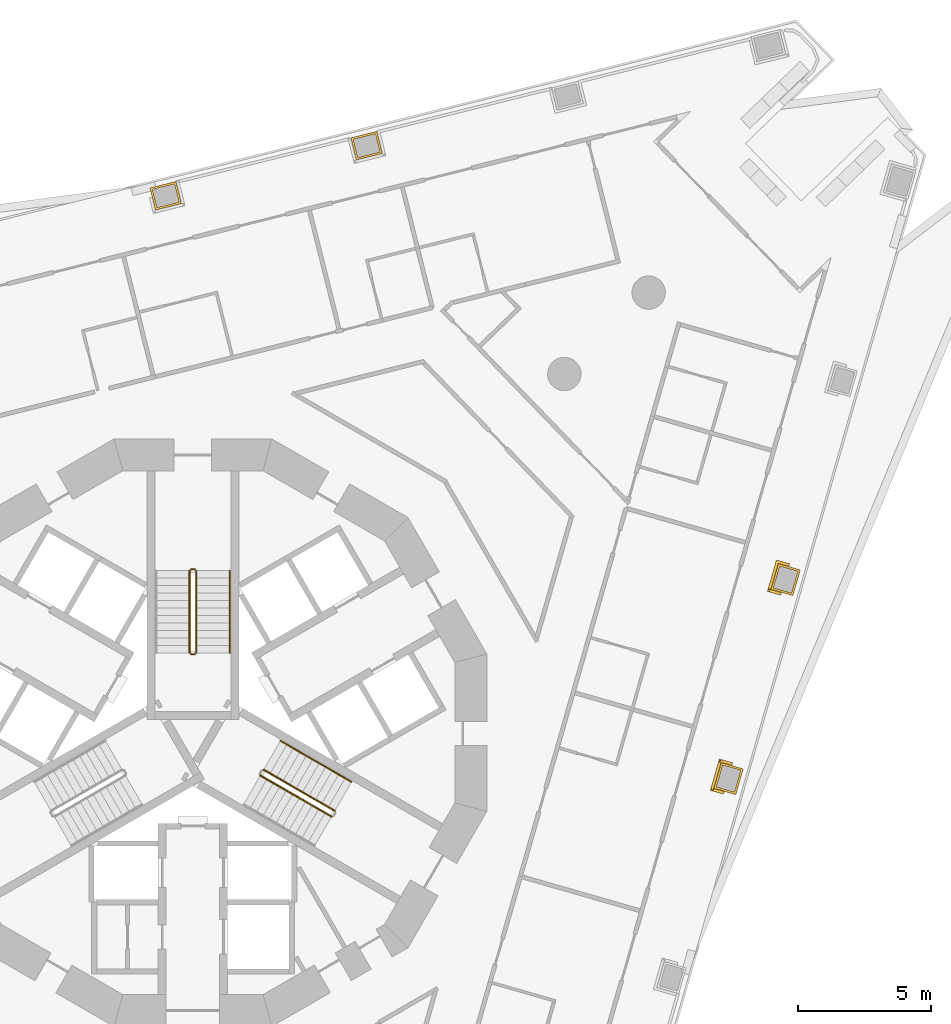
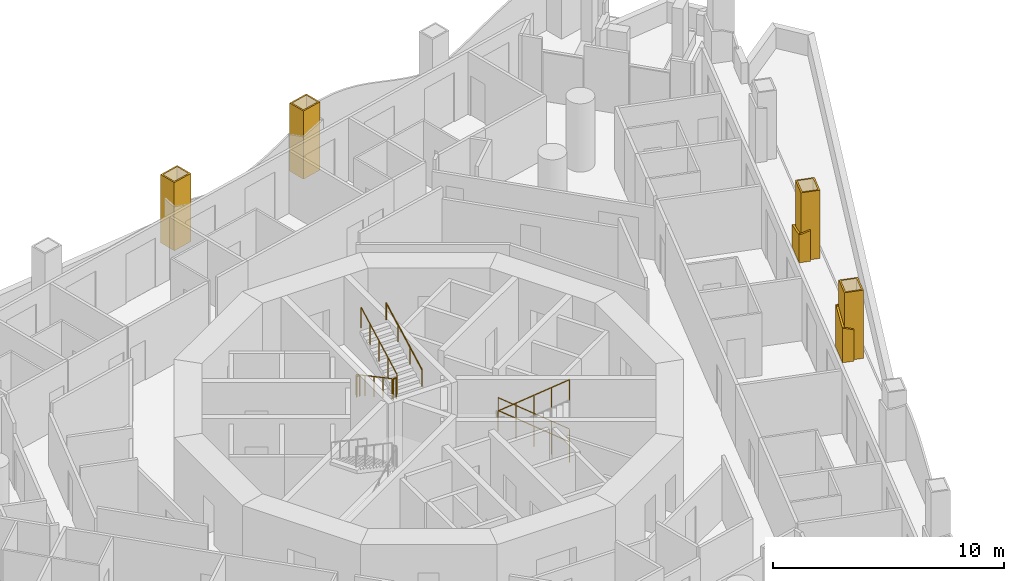
# One storey, part 17 of 19: 11 railings, 4 coverings.
"""IFC4 building model written with IfcOpenShell, lengths in metres."""

import ifcopenshell
import ifcopenshell.guid

model = None  # the IFC model being written
_history = None  # IfcOwnerHistory: only IFC2X3 demands one
_inside = {}  # id of a spatial element -> (the spatial element, [elements in it])
_under = {}  # id of a project, library or spatial element -> (it, [spatial elements below it])
_declared = {}  # id of a project -> (the project, [libraries it declares])
_typed = {}  # id of a type object -> (the type object, [elements of that type])
_made_of = {}  # id of a material, layer set ... -> (it, [elements and type objects made of it])


def new_model(schema):
    """Start an empty IFC model of exactly this schema.

    Asked for "IFC4X3", IfcOpenShell would pick the latest addendum, in which some entities
    have other attributes; the version numbers below select the first issue.
    IFC2X3 requires an IfcOwnerHistory on every rooted entity: one is made here for all.
    """
    global model, _history
    if schema == "IFC4X3":
        model = ifcopenshell.file(schema_version=(4, 3, 0, 0))
    else:
        model = ifcopenshell.file(schema=schema)
    _inside.clear()
    _under.clear()
    _declared.clear()
    _typed.clear()
    _made_of.clear()
    _history = None
    if model.schema == "IFC2X3":
        org = make("IfcOrganization", Name="unknown")
        user = make(
            "IfcPersonAndOrganization",
            ThePerson=make("IfcPerson", FamilyName="unknown"),
            TheOrganization=org,
        )
        app = make(
            "IfcApplication",
            ApplicationDeveloper=org,
            Version="unknown",
            ApplicationFullName="unknown",
            ApplicationIdentifier="unknown",
        )
        _history = make(
            "IfcOwnerHistory",
            OwningUser=user,
            OwningApplication=app,
            ChangeAction="ADDED",
            CreationDate=0,
        )
    return model


def make(cls, **values):
    """One entity of the class cls with the attributes given. An attribute that is None is left unset."""
    return model.create_entity(
        cls, **{name: value for name, value in values.items() if value is not None}
    )


def rooted(cls, **values):
    """An entity with a GlobalId (a new one), such as an element, a storey or a relation."""
    return make(cls, GlobalId=ifcopenshell.guid.new(), OwnerHistory=_history, **values)


def si_unit(unit_type, name, prefix=None):
    """IfcSIUnit, for example si_unit("LENGTHUNIT", "METRE", prefix="MILLI")."""
    return make("IfcSIUnit", UnitType=unit_type, Prefix=prefix, Name=name)


def assignment(units):
    """IfcUnitAssignment: the units of a project."""
    return None if units is None else make("IfcUnitAssignment", Units=units)


def point(xyz):
    """IfcCartesianPoint."""
    return None if xyz is None else make("IfcCartesianPoint", Coordinates=xyz)


def direction(xyz):
    """IfcDirection."""
    return None if xyz is None else make("IfcDirection", DirectionRatios=xyz)


def frame(location, z_axis=None, x_axis=None):
    """IfcAxis2Placement3D, a coordinate frame: its origin and axes. An axis left out is left unset."""
    return make(
        "IfcAxis2Placement3D",
        Location=point(location),
        Axis=direction(z_axis),
        RefDirection=direction(x_axis),
    )


def frame_2d(location, x_axis=None):
    """IfcAxis2Placement2D, a coordinate frame in the plane: its origin and x axis."""
    return make(
        "IfcAxis2Placement2D", Location=point(location), RefDirection=direction(x_axis)
    )


def origin():
    """The frame at (0, 0, 0) with its axes left unset."""
    return frame((0.0, 0.0, 0.0))


def origin_2d():
    """The frame at (0, 0) in the plane with its x axis left unset."""
    return frame_2d((0.0, 0.0))


def place(relative_to, where):
    """IfcLocalPlacement: puts the frame where relative to a parent placement (None: the world)."""
    return make(
        "IfcLocalPlacement", PlacementRelTo=relative_to, RelativePlacement=where
    )


def context(
    kind, dimensions, precision=None, world=None, true_north=None, identifier=None
):
    """IfcGeometricRepresentationContext, for example the 3D "Model" context."""
    return make(
        "IfcGeometricRepresentationContext",
        ContextIdentifier=identifier,
        ContextType=kind,
        CoordinateSpaceDimension=dimensions,
        Precision=precision,
        WorldCoordinateSystem=world,
        TrueNorth=true_north,
    )


def subcontext(parent, identifier, kind, view, scale=None):
    """IfcGeometricRepresentationSubContext, for example "Body" below "Model"."""
    return make(
        "IfcGeometricRepresentationSubContext",
        ContextIdentifier=identifier,
        ContextType=kind,
        ParentContext=parent,
        TargetScale=scale,
        TargetView=view,
    )


def project(units=None, contexts=None):
    """IfcProject with its units and contexts."""
    return rooted(
        "IfcProject",
        Name="project",
        RepresentationContexts=contexts,
        UnitsInContext=assignment(units),
    )


def spatial(cls, under=None, at=None, **own):
    """A site, building, storey or space (cls), placed at a placement, below another one or the project."""
    s = rooted(cls, ObjectPlacement=at, **own)
    if under is not None:
        _under.setdefault(under.id(), (under, []))[1].append(s)
    return s


def polyline(points):
    """IfcPolyline through the points."""
    return make("IfcPolyline", Points=[point(p) for p in points])


def profile(cls, at=None, kind="AREA", **sizes):
    """A parametric profile (cls). Its sizes go by their IFC names, for example OverallWidth=200.0."""
    return make(cls, ProfileType=kind, Position=at, **sizes)


def circle(**sizes):
    """IfcCircleProfileDef."""
    return profile("IfcCircleProfileDef", **sizes)


def outline(outer, holes=None, kind="AREA"):
    """IfcArbitraryClosedProfileDef: a profile drawn as a closed curve; with holes, ...WithVoids."""
    if holes is None:
        return make("IfcArbitraryClosedProfileDef", ProfileType=kind, OuterCurve=outer)
    return make(
        "IfcArbitraryProfileDefWithVoids",
        ProfileType=kind,
        OuterCurve=outer,
        InnerCurves=holes,
    )


def extrude(swept, where, along, depth):
    """IfcExtrudedAreaSolid: the profile swept, set in the frame where, extruded along a direction by depth."""
    return make(
        "IfcExtrudedAreaSolid",
        SweptArea=swept,
        Position=where,
        ExtrudedDirection=direction(along),
        Depth=depth,
    )


def shape(context_of_items, identifier, shape_type, items):
    """IfcShapeRepresentation: the items that make up one representation, for example the "Body"."""
    return make(
        "IfcShapeRepresentation",
        ContextOfItems=context_of_items,
        RepresentationIdentifier=identifier,
        RepresentationType=shape_type,
        Items=items,
    )


def material(Name=None, Category=None):
    """IfcMaterial."""
    return make("IfcMaterial", Name=Name, Category=Category)


def layer(
    of_material, thickness, ventilated=None, Name=None, Category=None, Priority=None
):
    """IfcMaterialLayer: one layer of a wall or slab, of a material (None: an air gap)."""
    return make(
        "IfcMaterialLayer",
        Material=of_material,
        LayerThickness=thickness,
        IsVentilated=ventilated,
        Name=Name,
        Category=Category,
        Priority=Priority,
    )


def layer_set(layers, Name=None):
    """IfcMaterialLayerSet."""
    return make("IfcMaterialLayerSet", MaterialLayers=layers, LayerSetName=Name)


def made_of(thing, what):
    """Note that an element or type object is made of a material, layer set ...; save() writes the relation."""
    if what is not None:
        _made_of.setdefault(what.id(), (what, []))[1].append(thing)
    return thing


def type_object(cls, material=None, **own):
    """A type object (cls), such as IfcWallType, which elements share."""
    return made_of(rooted(cls, **own), material)


def element(
    cls,
    number,
    at=None,
    inside=None,
    cuts=None,
    type_object=None,
    material=None,
    context=None,
    identifier="Body",
    shape_type=None,
    held_by="IfcProductDefinitionShape",
    body=None,
    shapes=None,
    **own,
):
    """One element of the class cls, such as IfcWall. Its Tag is "e" and its number.

    at: its placement. inside: the storey or other place that contains it. cuts: it is an
    opening in that element (IfcRelVoidsElement). A single representation is given by context,
    identifier, shape_type and body (its items); several are given by shapes. held_by: the class
    of the entity that holds the representations. save() writes the other relations.
    """
    e = rooted(cls, Tag="e%d" % number, ObjectPlacement=at, **own)
    if body is not None:
        shapes = [shape(context, identifier, shape_type, body)]
    if shapes is not None:
        e.Representation = make(held_by, Representations=shapes)
    if inside is not None:
        _inside.setdefault(inside.id(), (inside, []))[1].append(e)
    if cuts is not None:
        rooted(
            "IfcRelVoidsElement", RelatingBuildingElement=cuts, RelatedOpeningElement=e
        )
    if type_object is not None:
        _typed.setdefault(type_object.id(), (type_object, []))[1].append(e)
    return made_of(e, material)


def aggregate(whole, parts):
    """IfcRelAggregates: a whole, such as a stair, and the parts it consists of."""
    return rooted("IfcRelAggregates", RelatingObject=whole, RelatedObjects=parts)


def save(model, path):
    """Write the relations noted so far, then the file.

    IfcRelAggregates (storeys below a building ...), IfcRelContainedInSpatialStructure (elements
    in a storey), IfcRelDefinesByType, IfcRelAssociatesMaterial and IfcRelDeclares: one each for
    every whole, place, type object, material and project.
    """
    for whole, parts in _under.values():
        aggregate(whole, parts)
    for where, things in _inside.values():
        rooted(
            "IfcRelContainedInSpatialStructure",
            RelatedElements=things,
            RelatingStructure=where,
        )
    for kind, things in _typed.values():
        rooted("IfcRelDefinesByType", RelatedObjects=things, RelatingType=kind)
    for what, things in _made_of.values():
        rooted("IfcRelAssociatesMaterial", RelatedObjects=things, RelatingMaterial=what)
    for by, libraries in _declared.values():
        rooted("IfcRelDeclares", RelatingContext=by, RelatedDefinitions=libraries)
    model.write(path)


model = new_model("IFC4")

# Units and contexts
model_context = context("Model", 3, precision=1e-05, world=origin(), true_north=direction((0.0, 1.0)))
body_context = subcontext(model_context, "Body", "Model", "MODEL_VIEW")
ifc_project = project(units=[si_unit("LENGTHUNIT", "METRE"), si_unit("AREAUNIT", "SQUARE_METRE"), si_unit("VOLUMEUNIT", "CUBIC_METRE"), si_unit("PLANEANGLEUNIT", "RADIAN"), si_unit("MASSUNIT", "GRAM", prefix="KILO")], contexts=[model_context])

# Site, building, storey
site_placement = place(None, origin())
site = spatial("IfcSite", under=ifc_project, at=site_placement, CompositionType="ELEMENT")
building_placement = place(site_placement, origin())
building = spatial("IfcBuilding", under=site, at=building_placement, Name="Trine Commons Tower", CompositionType="ELEMENT")
storey_placement = place(building_placement, frame((0.0, 0.0, 87.300048828125)))
storey = spatial("IfcBuildingStorey", under=building, at=storey_placement, Name="L21", CompositionType="ELEMENT", Elevation=87.300048828125)

# Coverings
ifc_material_1 = material(Name="Limestone, honed", Category="masonry")
ifc_layer_1 = layer(ifc_material_1, 0.074951171875)
ifc_layer_set_1 = layer_set([ifc_layer_1], Name="Limestone, honed")
covering_type = type_object("IfcCoveringType", Name="Limestone column cladding 75", PredefinedType="CLADDING", material=ifc_layer_set_1)
covering_1_placement = place(storey_placement, origin())
element("IfcCovering", 1, at=covering_1_placement, inside=storey, type_object=covering_type, Name="Limestone pier cladding 3-13", PredefinedType="CLADDING", context=body_context, shape_type="SweptSolid", body=[
    extrude(outline(polyline([(79.569091796875, 82.32861328125), (79.36328125, 83.1533203125), (78.39306640625, 82.91162109375), (78.598876953125, 82.0869140625), (79.569091796875, 82.32861328125)]), holes=[polyline([(79.47802734375, 82.38330078125), (79.308837890625, 83.0625), (78.484130859375, 82.85693359375), (78.6533203125, 82.177734375), (79.47802734375, 82.38330078125)])]), origin(), (0.0, 0.0, 1.0), 3.599853515625),
])
covering_2_placement = place(storey_placement, origin())
element("IfcCovering", 2, at=covering_2_placement, inside=storey, type_object=covering_type, Name="Limestone pier cladding 3-14", PredefinedType="CLADDING", context=body_context, shape_type="SweptSolid", body=[
    extrude(outline(polyline([(87.09619140625, 84.205322265625), (86.890625, 85.030029296875), (85.92041015625, 84.7880859375), (86.1259765625, 83.96337890625), (87.09619140625, 84.205322265625)]), holes=[polyline([(87.00537109375, 84.260009765625), (86.8359375, 84.939208984375), (86.01123046875, 84.733642578125), (86.1806640625, 84.054443359375), (87.00537109375, 84.260009765625)])]), origin(), (0.0, 0.0, 1.0), 3.599853515625),
])
covering_3_placement = place(storey_placement, origin())
element("IfcCovering", 3, at=covering_3_placement, inside=storey, type_object=covering_type, Name="Limestone pier cladding 3-19", PredefinedType="CLADDING", context=body_context, shape_type="SweptSolid", body=[
    extrude(outline(polyline([(102.757080078125, 68.60009765625), (101.93994140625, 68.83447265625), (101.664306640625, 67.873291015625), (102.481201171875, 67.638916015625), (102.757080078125, 68.60009765625)]), holes=[polyline([(102.664306640625, 68.548828125), (101.9912109375, 68.74169921875), (101.757080078125, 67.924560546875), (102.429931640625, 67.731689453125), (102.664306640625, 68.548828125)])]), origin(), (0.0, 0.0, 1.0), 3.599853515625),
])
covering_4_placement = place(storey_placement, origin())
element("IfcCovering", 4, at=covering_4_placement, inside=storey, type_object=covering_type, Name="Limestone pier cladding 3-20", PredefinedType="CLADDING", context=body_context, shape_type="SweptSolid", body=[
    extrude(outline(polyline([(100.61865234375, 61.14306640625), (99.801513671875, 61.377197265625), (99.52587890625, 60.416015625), (100.343017578125, 60.181640625), (100.61865234375, 61.14306640625)]), holes=[polyline([(100.52587890625, 61.091552734375), (99.85302734375, 61.284423828125), (99.61865234375, 60.46728515625), (100.29150390625, 60.2744140625), (100.52587890625, 61.091552734375)])]), origin(), (0.0, 0.0, 1.0), 3.599853515625),
])

# Railings
ifc_material_2 = material(Name="Stainless steel balustrade", Category="steel")
railing_type_1 = type_object("IfcRailingType", Name="Stair guard, steel balustrade 1100", PredefinedType="GUARDRAIL", material=ifc_material_2)
railing_1_placement = place(storey_placement, frame((79.875, 68.570556640625, 0.14990234375)))
element("IfcRailing", 5, at=railing_1_placement, inside=storey, type_object=railing_type_1, Name="L21 ST1A stair guard 1", PredefinedType="GUARDRAIL", context=body_context, shape_type="SweptSolid", body=[
    extrude(circle(Radius=0.02392578125, at=origin_2d()), frame((0.0, 0.0, 1.076171875), z_axis=(0.0, -0.881467505477, 0.472244678941), x_axis=(1.0, 0.0, 0.0)), (0.0, 0.0, 1.0), 3.494140625),
    extrude(circle(Radius=0.02099609375, at=origin_2d()), origin(), (0.0, 0.0, 1.0), 1.052001953125),
    extrude(circle(Radius=0.02099609375, at=origin_2d()), frame((0.0, -0.77001953125, 0.41259765625)), (0.0, 0.0, 1.0), 1.052001953125),
    extrude(circle(Radius=0.02099609375, at=origin_2d()), frame((0.0, -1.5400390625, 0.8251953125)), (0.0, 0.0, 1.0), 1.052001953125),
    extrude(circle(Radius=0.02099609375, at=origin_2d()), frame((0.0, -2.31005859375, 1.237548828125)), (0.0, 0.0, 1.0), 1.052001953125),
    extrude(circle(Radius=0.02099609375, at=origin_2d()), frame((0.0, -3.080078125, 1.650146484375)), (0.0, 0.0, 1.0), 1.052001953125),
])
railing_2_placement = place(storey_placement, frame((79.925048828125, 65.440673828125, 1.800048828125)))
element("IfcRailing", 6, at=railing_2_placement, inside=storey, type_object=railing_type_1, Name="L21 ST1A stair guard 2", PredefinedType="GUARDRAIL", context=body_context, shape_type="SweptSolid", body=[
    extrude(circle(Radius=0.02392578125, at=origin_2d()), frame((0.0, 0.0, 1.076171875), z_axis=(1.0, 0.0, 0.0), x_axis=(0.0, 1.0, 0.0)), (0.0, 0.0, 1.0), 0.14990234375),
    extrude(circle(Radius=0.02099609375, at=origin_2d()), origin(), (0.0, 0.0, 1.0), 1.052001953125),
    extrude(circle(Radius=0.02099609375, at=origin_2d()), frame((0.14990234375, 0.0, 0.0)), (0.0, 0.0, 1.0), 1.052001953125),
])
railing_3_placement = place(storey_placement, frame((80.125, 65.490478515625, 1.949951171875)))
element("IfcRailing", 7, at=railing_3_placement, inside=storey, type_object=railing_type_1, Name="L21 ST1A stair guard 3", PredefinedType="GUARDRAIL", context=body_context, shape_type="SweptSolid", body=[
    extrude(circle(Radius=0.02392578125, at=origin_2d()), frame((0.0, 0.0, 1.076171875), z_axis=(0.0, 0.881496589024, 0.472190389079), x_axis=(-1.0, 0.0, 0.0)), (0.0, 0.0, 1.0), 3.494140625),
    extrude(circle(Radius=0.02099609375, at=origin_2d()), origin(), (0.0, 0.0, 1.0), 1.052001953125),
    extrude(circle(Radius=0.02099609375, at=origin_2d()), frame((0.0, 0.77001953125, 0.41259765625)), (0.0, 0.0, 1.0), 1.052001953125),
    extrude(circle(Radius=0.02099609375, at=origin_2d()), frame((0.0, 1.5400390625, 0.824951171875)), (0.0, 0.0, 1.0), 1.052001953125),
    extrude(circle(Radius=0.02099609375, at=origin_2d()), frame((0.0, 2.31005859375, 1.2373046875)), (0.0, 0.0, 1.0), 1.052001953125),
    extrude(circle(Radius=0.02099609375, at=origin_2d()), frame((0.0, 3.080078125, 1.64990234375)), (0.0, 0.0, 1.0), 1.052001953125),
])
railing_4_placement = place(storey_placement, frame((79.925048828125, 68.62060546875, 0.0)))
element("IfcRailing", 8, at=railing_4_placement, inside=storey, type_object=railing_type_1, Name="L21 ST1A stair guard 4", PredefinedType="GUARDRAIL", context=body_context, shape_type="SweptSolid", body=[
    extrude(circle(Radius=0.02392578125, at=origin_2d()), frame((0.0, 0.0, 1.076171875), z_axis=(1.0, 0.0, 0.0), x_axis=(0.0, 1.0, 0.0)), (0.0, 0.0, 1.0), 0.14990234375),
    extrude(circle(Radius=0.02099609375, at=origin_2d()), origin(), (0.0, 0.0, 1.0), 1.052001953125),
    extrude(circle(Radius=0.02099609375, at=origin_2d()), frame((0.14990234375, 0.0, 0.0)), (0.0, 0.0, 1.0), 1.052001953125),
])
railing_5_placement = place(storey_placement, frame((85.31982421875, 59.572998046875, 0.14990234375)))
element("IfcRailing", 9, at=railing_5_placement, inside=storey, type_object=railing_type_1, Name="L21 ST3A stair guard 1", PredefinedType="GUARDRAIL", context=body_context, shape_type="SweptSolid", body=[
    extrude(circle(Radius=0.02392578125, at=origin_2d()), frame((0.0, 0.0, 1.076171875), z_axis=(-0.763379768245, 0.440728498818, 0.472239049384), x_axis=(-0.499992328818, -0.866029832698, 0.0)), (0.0, 0.0, 1.0), 3.494384765625),
    extrude(circle(Radius=0.02099609375, at=origin_2d()), origin(), (0.0, 0.0, 1.0), 1.052001953125),
    extrude(circle(Radius=0.02099609375, at=origin_2d()), frame((-0.6669921875, 0.385009765625, 0.41259765625)), (0.0, 0.0, 1.0), 1.052001953125),
    extrude(circle(Radius=0.02099609375, at=origin_2d()), frame((-1.333740234375, 0.77001953125, 0.8251953125)), (0.0, 0.0, 1.0), 1.052001953125),
    extrude(circle(Radius=0.02099609375, at=origin_2d()), frame((-2.00048828125, 1.155029296875, 1.237548828125)), (0.0, 0.0, 1.0), 1.052001953125),
    extrude(circle(Radius=0.02099609375, at=origin_2d()), frame((-2.66748046875, 1.5400390625, 1.650146484375)), (0.0, 0.0, 1.0), 1.052001953125),
])
railing_6_placement = place(storey_placement, frame((82.52734375, 60.896484375, 1.949951171875)))
element("IfcRailing", 10, at=railing_6_placement, inside=storey, type_object=railing_type_1, Name="L21 ST3A stair guard 3", PredefinedType="GUARDRAIL", context=body_context, shape_type="SweptSolid", body=[
    extrude(circle(Radius=0.02392578125, at=origin_2d()), frame((0.0, 0.0, 1.076171875), z_axis=(0.76340495495, -0.440743040072, 0.472184759798), x_axis=(0.499992328818, 0.866029832698, 0.0)), (0.0, 0.0, 1.0), 3.494140625),
    extrude(circle(Radius=0.02099609375, at=origin_2d()), origin(), (0.0, 0.0, 1.0), 1.052001953125),
    extrude(circle(Radius=0.02099609375, at=origin_2d()), frame((0.6669921875, -0.385009765625, 0.41259765625)), (0.0, 0.0, 1.0), 1.052001953125),
    extrude(circle(Radius=0.02099609375, at=origin_2d()), frame((1.333740234375, -0.77001953125, 0.824951171875)), (0.0, 0.0, 1.0), 1.052001953125),
    extrude(circle(Radius=0.02099609375, at=origin_2d()), frame((2.00048828125, -1.155029296875, 1.2373046875)), (0.0, 0.0, 1.0), 1.052001953125),
    extrude(circle(Radius=0.02099609375, at=origin_2d()), frame((2.66748046875, -1.5400390625, 1.64990234375)), (0.0, 0.0, 1.0), 1.052001953125),
])
ifc_material_3 = material(Name="Stainless steel handrail", Category="steel")
railing_type_2 = type_object("IfcRailingType", Name="Stair handrail, steel 900", PredefinedType="HANDRAIL", material=ifc_material_3)
railing_7_placement = place(storey_placement, frame((81.375, 65.490478515625, 1.949951171875)))
element("IfcRailing", 11, at=railing_7_placement, inside=storey, type_object=railing_type_2, Name="L21 ST1A stair handrail 2", PredefinedType="HANDRAIL", context=body_context, shape_type="SweptSolid", body=[
    extrude(circle(Radius=0.02099609375, at=origin_2d()), frame((0.0, 0.0, 0.87890625), z_axis=(0.0, 0.881496589024, 0.472190389079), x_axis=(-1.0, 0.0, 0.0)), (0.0, 0.0, 1.0), 3.494140625),
    extrude(circle(Radius=0.01513671875, at=origin_2d()), origin(), (0.0, 0.0, 1.0), 0.85791015625),
    extrude(circle(Radius=0.01513671875, at=origin_2d()), frame((0.0, 1.026611328125, 0.550048828125)), (0.0, 0.0, 1.0), 0.85791015625),
    extrude(circle(Radius=0.01513671875, at=origin_2d()), frame((0.0, 2.053466796875, 1.099853515625)), (0.0, 0.0, 1.0), 0.85791015625),
    extrude(circle(Radius=0.01513671875, at=origin_2d()), frame((0.0, 3.080078125, 1.64990234375)), (0.0, 0.0, 1.0), 0.85791015625),
])
railing_8_placement = place(storey_placement, frame((85.94482421875, 60.655517578125, 0.14990234375)))
element("IfcRailing", 12, at=railing_8_placement, inside=storey, type_object=railing_type_2, Name="L21 ST3A stair handrail 1", PredefinedType="HANDRAIL", context=body_context, shape_type="SweptSolid", body=[
    extrude(circle(Radius=0.02099609375, at=origin_2d()), frame((0.0, 0.0, 0.87890625), z_axis=(-0.76340495495, 0.440743040072, 0.472184759798), x_axis=(-0.499992328818, -0.866029832698, 0.0)), (0.0, 0.0, 1.0), 1.7470703125),
    extrude(circle(Radius=0.01513671875, at=origin_2d()), origin(), (0.0, 0.0, 1.0), 0.85791015625),
    extrude(circle(Radius=0.01513671875, at=origin_2d()), frame((-0.6669921875, 0.385009765625, 0.41259765625)), (0.0, 0.0, 1.0), 0.85791015625),
    extrude(circle(Radius=0.01513671875, at=origin_2d()), frame((-1.333740234375, 0.77001953125, 0.824951171875)), (0.0, 0.0, 1.0), 0.85791015625),
])
railing_9_placement = place(storey_placement, frame((84.611083984375, 61.425537109375, 0.974853515625)))
element("IfcRailing", 13, at=railing_9_placement, inside=storey, type_object=railing_type_2, Name="L21 ST3A stair handrail 2", PredefinedType="HANDRAIL", context=body_context, shape_type="SweptSolid", body=[
    extrude(circle(Radius=0.02099609375, at=origin_2d()), frame((0.0, 0.0, 0.87890625), z_axis=(-0.763354580307, 0.440713956853, 0.472293333596), x_axis=(-0.499992328818, -0.866029832698, 0.0)), (0.0, 0.0, 1.0), 1.747314453125),
    extrude(circle(Radius=0.01513671875, at=origin_2d()), origin(), (0.0, 0.0, 1.0), 0.85791015625),
    extrude(circle(Radius=0.01513671875, at=origin_2d()), frame((-0.6669921875, 0.385009765625, 0.41259765625)), (0.0, 0.0, 1.0), 0.85791015625),
    extrude(circle(Radius=0.01513671875, at=origin_2d()), frame((-1.333740234375, 0.77001953125, 0.8251953125)), (0.0, 0.0, 1.0), 0.85791015625),
])
ifc_material_4 = material(Name="White powder-coated aluminium", Category="aluminium")
ifc_layer_2 = layer(ifc_material_4, 0.10009765625)
ifc_layer_set_2 = layer_set([ifc_layer_2], Name="White powder-coated aluminium")
railing_type_3 = type_object("IfcRailingType", Name="White balustrade band 100", PredefinedType="GUARDRAIL", material=ifc_layer_set_2)
railing_10_placement = place(storey_placement, origin())
element("IfcRailing", 14, at=railing_10_placement, inside=storey, type_object=railing_type_3, Name="Guard band L21 16", PredefinedType="GUARDRAIL", context=body_context, shape_type="SweptSolid", body=[
    extrude(outline(polyline([(0.0, 0.0), (0.516357421875, 0.0), (0.516357421875, 1.2080078125), (0.516357421875, 1.2080078125), (0.022705078125, 1.13720703125), (0.0, 1.1357421875), (0.0, 0.0)])), frame((102.331787109375, 68.732421875, 0.0), z_axis=(0.275657728864, 0.961255853827, 0.0), x_axis=(-0.961255853827, 0.275657728864, 0.0)), (0.0, 0.0, 1.0), 0.10009765625),
    extrude(outline(polyline([(0.0, 0.0), (1.220947265625, 0.0), (1.22119140625, 1.48583984375), (0.610595703125, 1.316162109375), (0.0, 1.190673828125), (0.0, 0.0)])), frame((101.960693359375, 68.943115234375, 0.0), z_axis=(-0.961229108655, 0.275750975834, 0.0), x_axis=(-0.275750975834, -0.961229108655, 0.0)), (0.0, 0.0, 1.0), 0.10009765625),
    extrude(outline(polyline([(0.0, 0.0), (0.515625, 0.0), (0.515380859375, 1.620849609375), (0.4931640625, 1.613037109375), (0.0, 1.454833984375), (0.0, 0.0)])), frame((101.55517578125, 67.89404296875, 0.0), z_axis=(-0.275596604579, -0.961273380233, 0.0), x_axis=(0.961273380233, -0.275596604579, 0.0)), (0.0, 0.0, 1.0), 0.10009765625),
])
railing_11_placement = place(storey_placement, origin())
element("IfcRailing", 15, at=railing_11_placement, inside=storey, type_object=railing_type_3, Name="Guard band L21 17", PredefinedType="GUARDRAIL", context=body_context, shape_type="SweptSolid", body=[
    extrude(outline(polyline([(0.0, 0.0), (0.516357421875, 0.0), (0.51611328125, 2.212646484375), (0.51611328125, 2.212646484375), (0.022705078125, 2.386962890625), (0.0, 2.394287109375), (0.0, 0.0)])), frame((100.193603515625, 61.275146484375, 0.0), z_axis=(0.275657728864, 0.961255853827, 0.0), x_axis=(-0.961255853827, 0.275657728864, 0.0)), (0.0, 0.0, 1.0), 0.10009765625),
    extrude(outline(polyline([(0.0, 0.0), (1.22216796875, 0.0), (1.221923828125, 1.79541015625), (0.611083984375, 2.0234375), (0.0, 2.249755859375), (0.0, 0.0)])), frame((99.822509765625, 61.486572265625, 0.0), z_axis=(-0.961252104475, 0.275670803029, 0.0), x_axis=(-0.275670803029, -0.961252104475, 0.0)), (0.0, 0.0, 1.0), 0.10009765625),
    extrude(outline(polyline([(0.0, 0.0), (0.515380859375, 0.0), (0.515380859375, 1.648193359375), (0.493408203125, 1.655517578125), (0.0, 1.832763671875), (0.0, 0.0)])), frame((99.417236328125, 60.43701171875, 0.0), z_axis=(-0.275722109646, -0.961237389125, 0.0), x_axis=(0.961237389125, -0.275722109646, 0.0)), (0.0, 0.0, 1.0), 0.10009765625),
])

save(model, "model.ifc")
